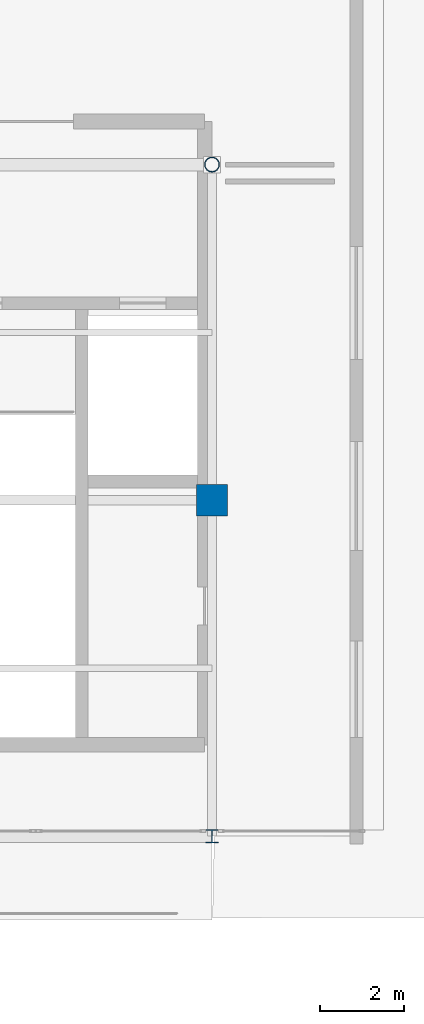
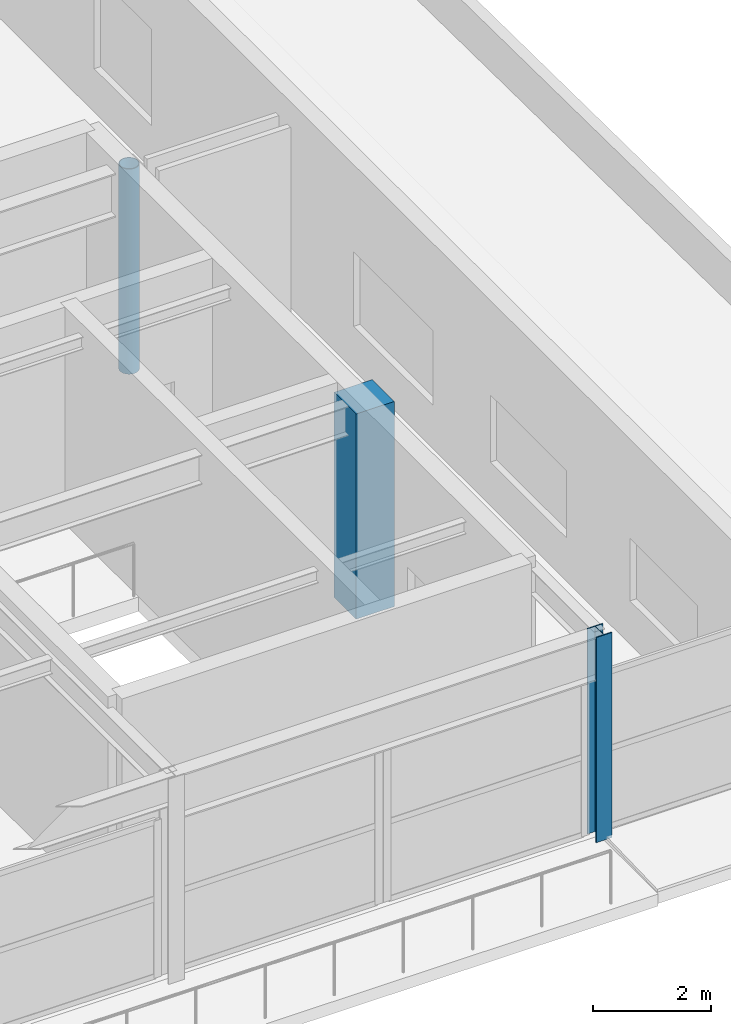
# One storey, part 13 of 123: 3 columns.
"""IFC4 building model written with IfcOpenShell, lengths in metres."""

import ifcopenshell
import ifcopenshell.guid

model = None  # the IFC model being written
_history = None  # IfcOwnerHistory: only IFC2X3 demands one
_inside = {}  # id of a spatial element -> (the spatial element, [elements in it])
_under = {}  # id of a project, library or spatial element -> (it, [spatial elements below it])
_declared = {}  # id of a project -> (the project, [libraries it declares])
_typed = {}  # id of a type object -> (the type object, [elements of that type])
_made_of = {}  # id of a material, layer set ... -> (it, [elements and type objects made of it])


def new_model(schema):
    """Start an empty IFC model of exactly this schema.

    Asked for "IFC4X3", IfcOpenShell would pick the latest addendum, in which some entities
    have other attributes; the version numbers below select the first issue.
    IFC2X3 requires an IfcOwnerHistory on every rooted entity: one is made here for all.
    """
    global model, _history
    if schema == "IFC4X3":
        model = ifcopenshell.file(schema_version=(4, 3, 0, 0))
    else:
        model = ifcopenshell.file(schema=schema)
    _inside.clear()
    _under.clear()
    _declared.clear()
    _typed.clear()
    _made_of.clear()
    _history = None
    if model.schema == "IFC2X3":
        org = make("IfcOrganization", Name="unknown")
        user = make(
            "IfcPersonAndOrganization",
            ThePerson=make("IfcPerson", FamilyName="unknown"),
            TheOrganization=org,
        )
        app = make(
            "IfcApplication",
            ApplicationDeveloper=org,
            Version="unknown",
            ApplicationFullName="unknown",
            ApplicationIdentifier="unknown",
        )
        _history = make(
            "IfcOwnerHistory",
            OwningUser=user,
            OwningApplication=app,
            ChangeAction="ADDED",
            CreationDate=0,
        )
    return model


def make(cls, **values):
    """One entity of the class cls with the attributes given. An attribute that is None is left unset."""
    return model.create_entity(
        cls, **{name: value for name, value in values.items() if value is not None}
    )


def rooted(cls, **values):
    """An entity with a GlobalId (a new one), such as an element, a storey or a relation."""
    return make(cls, GlobalId=ifcopenshell.guid.new(), OwnerHistory=_history, **values)


def si_unit(unit_type, name, prefix=None):
    """IfcSIUnit, for example si_unit("LENGTHUNIT", "METRE", prefix="MILLI")."""
    return make("IfcSIUnit", UnitType=unit_type, Prefix=prefix, Name=name)


def assignment(units):
    """IfcUnitAssignment: the units of a project."""
    return None if units is None else make("IfcUnitAssignment", Units=units)


def point(xyz):
    """IfcCartesianPoint."""
    return None if xyz is None else make("IfcCartesianPoint", Coordinates=xyz)


def direction(xyz):
    """IfcDirection."""
    return None if xyz is None else make("IfcDirection", DirectionRatios=xyz)


def frame(location, z_axis=None, x_axis=None):
    """IfcAxis2Placement3D, a coordinate frame: its origin and axes. An axis left out is left unset."""
    return make(
        "IfcAxis2Placement3D",
        Location=point(location),
        Axis=direction(z_axis),
        RefDirection=direction(x_axis),
    )


def frame_2d(location, x_axis=None):
    """IfcAxis2Placement2D, a coordinate frame in the plane: its origin and x axis."""
    return make(
        "IfcAxis2Placement2D", Location=point(location), RefDirection=direction(x_axis)
    )


def origin():
    """The frame at (0, 0, 0) with its axes left unset."""
    return frame((0.0, 0.0, 0.0))


def origin_2d():
    """The frame at (0, 0) in the plane with its x axis left unset."""
    return frame_2d((0.0, 0.0))


def place(relative_to, where):
    """IfcLocalPlacement: puts the frame where relative to a parent placement (None: the world)."""
    return make(
        "IfcLocalPlacement", PlacementRelTo=relative_to, RelativePlacement=where
    )


def context(
    kind, dimensions, precision=None, world=None, true_north=None, identifier=None
):
    """IfcGeometricRepresentationContext, for example the 3D "Model" context."""
    return make(
        "IfcGeometricRepresentationContext",
        ContextIdentifier=identifier,
        ContextType=kind,
        CoordinateSpaceDimension=dimensions,
        Precision=precision,
        WorldCoordinateSystem=world,
        TrueNorth=true_north,
    )


def subcontext(parent, identifier, kind, view, scale=None):
    """IfcGeometricRepresentationSubContext, for example "Body" below "Model"."""
    return make(
        "IfcGeometricRepresentationSubContext",
        ContextIdentifier=identifier,
        ContextType=kind,
        ParentContext=parent,
        TargetScale=scale,
        TargetView=view,
    )


def project(units=None, contexts=None):
    """IfcProject with its units and contexts."""
    return rooted(
        "IfcProject",
        Name="project",
        RepresentationContexts=contexts,
        UnitsInContext=assignment(units),
    )


def spatial(cls, under=None, at=None, **own):
    """A site, building, storey or space (cls), placed at a placement, below another one or the project."""
    s = rooted(cls, ObjectPlacement=at, **own)
    if under is not None:
        _under.setdefault(under.id(), (under, []))[1].append(s)
    return s


def profile(cls, at=None, kind="AREA", **sizes):
    """A parametric profile (cls). Its sizes go by their IFC names, for example OverallWidth=200.0."""
    return make(cls, ProfileType=kind, Position=at, **sizes)


def rectangle(**sizes):
    """IfcRectangleProfileDef."""
    return profile("IfcRectangleProfileDef", **sizes)


def hollow_circle(**sizes):
    """IfcCircleHollowProfileDef."""
    return profile("IfcCircleHollowProfileDef", **sizes)


def i_section(**sizes):
    """IfcIShapeProfileDef."""
    return profile("IfcIShapeProfileDef", **sizes)


def extrude(swept, where, along, depth):
    """IfcExtrudedAreaSolid: the profile swept, set in the frame where, extruded along a direction by depth."""
    return make(
        "IfcExtrudedAreaSolid",
        SweptArea=swept,
        Position=where,
        ExtrudedDirection=direction(along),
        Depth=depth,
    )


def shape(context_of_items, identifier, shape_type, items):
    """IfcShapeRepresentation: the items that make up one representation, for example the "Body"."""
    return make(
        "IfcShapeRepresentation",
        ContextOfItems=context_of_items,
        RepresentationIdentifier=identifier,
        RepresentationType=shape_type,
        Items=items,
    )


def material(Name=None, Category=None):
    """IfcMaterial."""
    return make("IfcMaterial", Name=Name, Category=Category)


def material_profile(
    of_material, cross_section, Name=None, Category=None, Priority=None
):
    """IfcMaterialProfile: a cross section and its material."""
    return make(
        "IfcMaterialProfile",
        Name=Name,
        Material=of_material,
        Profile=cross_section,
        Priority=Priority,
        Category=Category,
    )


def profile_set(profiles, Name=None, composite=None):
    """IfcMaterialProfileSet."""
    return make(
        "IfcMaterialProfileSet",
        Name=Name,
        MaterialProfiles=profiles,
        CompositeProfile=composite,
    )


def made_of(thing, what):
    """Note that an element or type object is made of a material, layer set ...; save() writes the relation."""
    if what is not None:
        _made_of.setdefault(what.id(), (what, []))[1].append(thing)
    return thing


def type_object(cls, material=None, **own):
    """A type object (cls), such as IfcWallType, which elements share."""
    return made_of(rooted(cls, **own), material)


def element(
    cls,
    number,
    at=None,
    inside=None,
    cuts=None,
    type_object=None,
    material=None,
    context=None,
    identifier="Body",
    shape_type=None,
    held_by="IfcProductDefinitionShape",
    body=None,
    shapes=None,
    **own,
):
    """One element of the class cls, such as IfcWall. Its Tag is "e" and its number.

    at: its placement. inside: the storey or other place that contains it. cuts: it is an
    opening in that element (IfcRelVoidsElement). A single representation is given by context,
    identifier, shape_type and body (its items); several are given by shapes. held_by: the class
    of the entity that holds the representations. save() writes the other relations.
    """
    e = rooted(cls, Tag="e%d" % number, ObjectPlacement=at, **own)
    if body is not None:
        shapes = [shape(context, identifier, shape_type, body)]
    if shapes is not None:
        e.Representation = make(held_by, Representations=shapes)
    if inside is not None:
        _inside.setdefault(inside.id(), (inside, []))[1].append(e)
    if cuts is not None:
        rooted(
            "IfcRelVoidsElement", RelatingBuildingElement=cuts, RelatedOpeningElement=e
        )
    if type_object is not None:
        _typed.setdefault(type_object.id(), (type_object, []))[1].append(e)
    return made_of(e, material)


def aggregate(whole, parts):
    """IfcRelAggregates: a whole, such as a stair, and the parts it consists of."""
    return rooted("IfcRelAggregates", RelatingObject=whole, RelatedObjects=parts)


def save(model, path):
    """Write the relations noted so far, then the file.

    IfcRelAggregates (storeys below a building ...), IfcRelContainedInSpatialStructure (elements
    in a storey), IfcRelDefinesByType, IfcRelAssociatesMaterial and IfcRelDeclares: one each for
    every whole, place, type object, material and project.
    """
    for whole, parts in _under.values():
        aggregate(whole, parts)
    for where, things in _inside.values():
        rooted(
            "IfcRelContainedInSpatialStructure",
            RelatedElements=things,
            RelatingStructure=where,
        )
    for kind, things in _typed.values():
        rooted("IfcRelDefinesByType", RelatedObjects=things, RelatingType=kind)
    for what, things in _made_of.values():
        rooted("IfcRelAssociatesMaterial", RelatedObjects=things, RelatingMaterial=what)
    for by, libraries in _declared.values():
        rooted("IfcRelDeclares", RelatingContext=by, RelatedDefinitions=libraries)
    model.write(path)


model = new_model("IFC4")

# Units and contexts
model_context = context("Model", 3, precision=1e-05, world=origin(), true_north=direction((0.0, 1.0)))
body_context = subcontext(model_context, "Body", "Model", "MODEL_VIEW")
ifc_project = project(units=[si_unit("LENGTHUNIT", "METRE"), si_unit("AREAUNIT", "SQUARE_METRE"), si_unit("VOLUMEUNIT", "CUBIC_METRE"), si_unit("PLANEANGLEUNIT", "RADIAN"), si_unit("MASSUNIT", "GRAM", prefix="KILO")], contexts=[model_context])

# Site, building, storey
site_placement = place(None, origin())
site = spatial("IfcSite", under=ifc_project, at=site_placement, CompositionType="ELEMENT")
building_placement = place(site_placement, origin())
building = spatial("IfcBuilding", under=site, at=building_placement, Name="Kalgoora Escarpment Arena", CompositionType="ELEMENT")
storey_placement = place(building_placement, frame((0.0, 0.0, 9.89990234375)))
storey = spatial("IfcBuildingStorey", under=building, at=storey_placement, Name="L02", CompositionType="ELEMENT", Elevation=9.89990234375)

# Columns
ifc_material_1 = material(Name="Structural steel AS/NZS 3679 (300 MPa)", Category="steel")
ifc_material_profile_1 = material_profile(ifc_material_1, i_section(OverallWidth=0.30908203125, OverallDepth=0.321044921875, WebThickness=0.013916015625, FlangeThickness=0.021728515625, at=origin_2d()))
ifc_profile_set_1 = profile_set([ifc_material_profile_1], Name="Structural steel AS/NZS 3679 (300 MPa)")
column_type_1 = type_object("IfcColumnType", Name="COL-COL-310UC137", PredefinedType="COLUMN", material=ifc_profile_set_1)
column_1_placement = place(storey_placement, frame((168.0, 8.0, 0.0), z_axis=(0.0, 0.0, 1.0), x_axis=(1.0, 0.0, 0.0)))
element("IfcColumn", 1, at=column_1_placement, inside=storey, type_object=column_type_1, Name="L02 structural column COL-G21-B", PredefinedType="COLUMN", context=body_context, shape_type="SweptSolid", body=[
    extrude(i_section(OverallWidth=0.30908203125, OverallDepth=0.321044921875, WebThickness=0.013916015625, FlangeThickness=0.021728515625, at=origin_2d()), origin(), (0.0, 0.0, 1.0), 4.260009765625),
])
ifc_material_2 = material(Name="Structural steel C350 (350 MPa)", Category="steel")
ifc_material_profile_2 = material_profile(ifc_material_2, hollow_circle(Radius=0.177734375, WallThickness=0.0126953125, at=origin_2d()))
ifc_profile_set_2 = profile_set([ifc_material_profile_2], Name="Structural steel C350 (350 MPa)")
column_type_2 = type_object("IfcColumnType", Name="COL-COL-355.6x12.7CHS", PredefinedType="COLUMN", material=ifc_profile_set_2)
column_2_placement = place(storey_placement, frame((168.0, 24.0, 0.0), z_axis=(0.0, 0.0, 1.0), x_axis=(1.0, 0.0, 0.0)))
element("IfcColumn", 2, at=column_2_placement, inside=storey, type_object=column_type_2, Name="L02 structural column COL-G21-D", PredefinedType="COLUMN", context=body_context, shape_type="SweptSolid", body=[
    extrude(hollow_circle(Radius=0.177734375, WallThickness=0.0126953125, at=origin_2d()), origin(), (0.0, 0.0, 1.0), 4.260009765625),
])
ifc_material_3 = material(Name="Concrete N50 (fc' 50 MPa)", Category="concrete")
ifc_material_profile_3 = material_profile(ifc_material_3, rectangle(XDim=0.75, YDim=0.75, at=origin_2d()))
ifc_profile_set_3 = profile_set([ifc_material_profile_3], Name="Concrete N50 (fc' 50 MPa)")
column_type_3 = type_object("IfcColumnType", Name="COL-COL-RC750x750", PredefinedType="COLUMN", material=ifc_profile_set_3)
column_3_placement = place(storey_placement, frame((168.0, 16.0, 0.0), z_axis=(0.0, 0.0, 1.0), x_axis=(1.0, 0.0, 0.0)))
element("IfcColumn", 3, at=column_3_placement, inside=storey, type_object=column_type_3, Name="L02 structural column COL-G21-C", PredefinedType="COLUMN", context=body_context, shape_type="SweptSolid", body=[
    extrude(rectangle(XDim=0.75, YDim=0.75, at=origin_2d()), origin(), (0.0, 0.0, 1.0), 4.260009765625),
])

save(model, "model.ifc")
